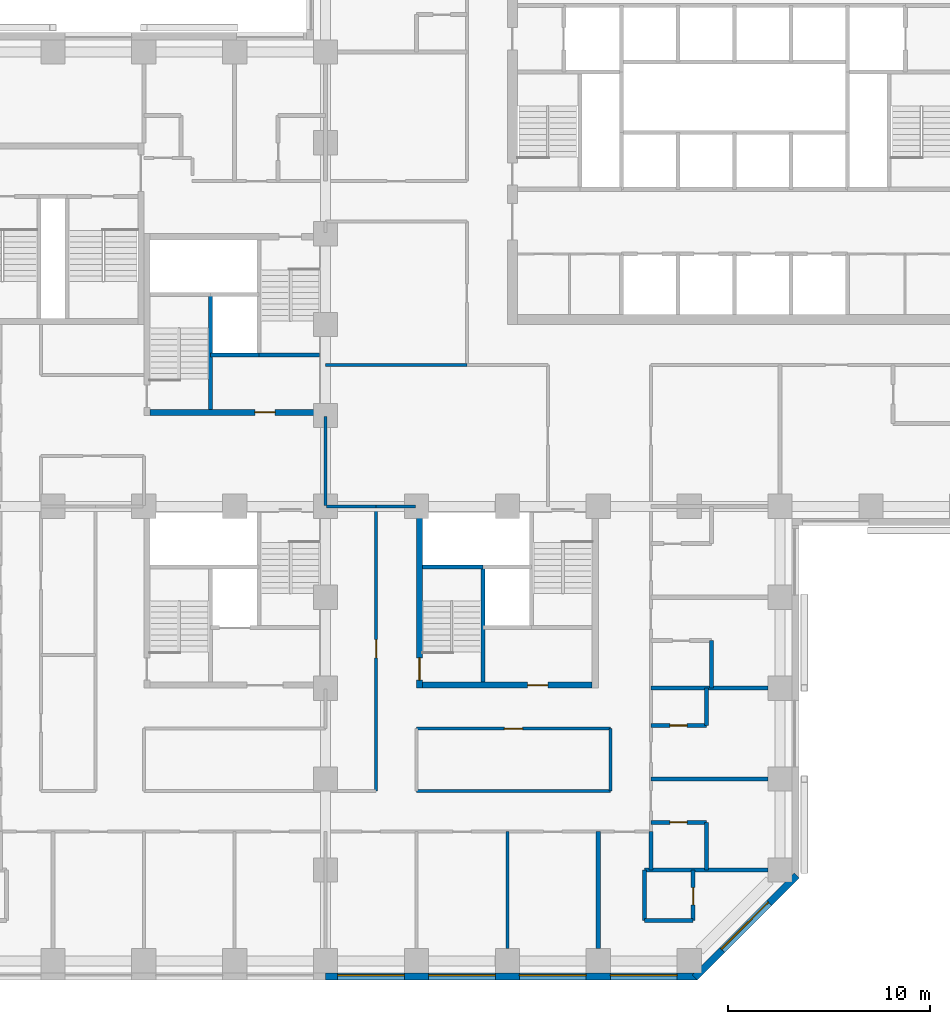
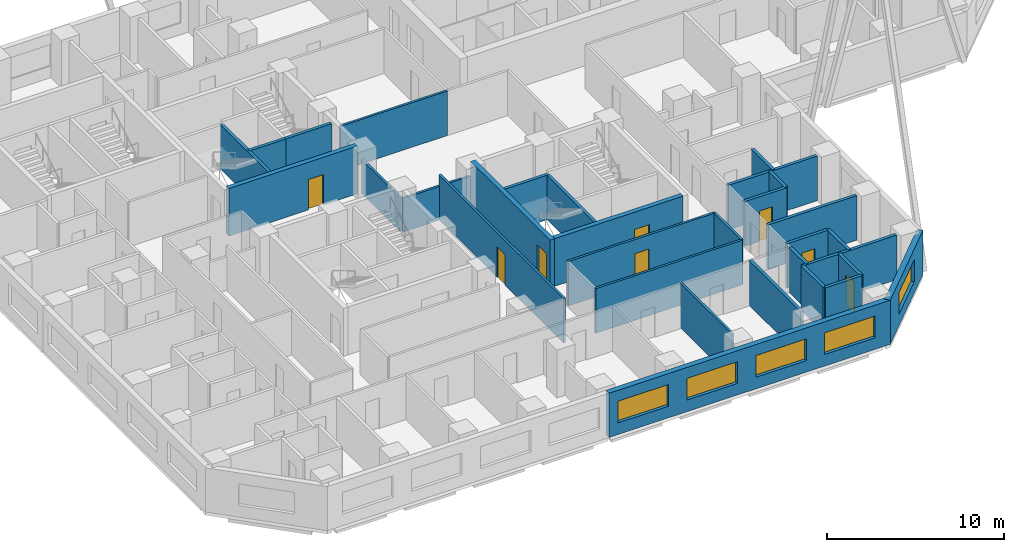
# One storey, part 5 of 14: 32 walls, 8 doors, 5 windows, 13 openings.
"""IFC4 building model written with IfcOpenShell, lengths in metres."""

from ifc_helpers import new_model, si_unit, direction, frame, frame_2d, origin, place, context, subcontext, project, spatial, rectangle, extrude, material, layer, layer_set, constituent, constituent_set, type_object, element, fill, save


model = new_model("IFC4")

# Units and contexts
model_context = context("Model", 3, precision=1e-05, world=origin(), true_north=direction((0.0, 1.0)))
body_context = subcontext(model_context, "Body", "Model", "MODEL_VIEW")
ifc_project = project(units=[si_unit("LENGTHUNIT", "METRE"), si_unit("AREAUNIT", "SQUARE_METRE"), si_unit("VOLUMEUNIT", "CUBIC_METRE"), si_unit("PLANEANGLEUNIT", "RADIAN"), si_unit("MASSUNIT", "GRAM", prefix="KILO")], contexts=[model_context])

# Site, building, storey
site_placement = place(None, origin())
site = spatial("IfcSite", under=ifc_project, at=site_placement, CompositionType="ELEMENT")
building_placement = place(site_placement, origin())
building = spatial("IfcBuilding", under=site, at=building_placement, Name="Quoin Convention Tower", CompositionType="ELEMENT")
storey_placement = place(building_placement, frame((0.0, 0.0, 66.0)))
storey = spatial("IfcBuildingStorey", under=building, at=storey_placement, Name="L17", CompositionType="ELEMENT", Elevation=66.0)

# Wall, openings, windows
ifc_material_1 = material(Name="Brick masonry", Category="masonry")
ifc_layer_1 = layer(ifc_material_1, 0.35009765625)
ifc_layer_set_1 = layer_set([ifc_layer_1], Name="Brick masonry")
wall_type_1 = type_object("IfcWallType", Name="Brick facade wall", PredefinedType="STANDARD", material=ifc_layer_set_1)
wall_1_placement = place(storey_placement, frame((36.0, 17.22509765625, 0.0), z_axis=(0.0, 0.0, 1.0), x_axis=(1.0, 0.0, 0.0)))
wall_1 = element("IfcWall", 1, at=wall_1_placement, inside=storey, type_object=wall_type_1, Name="fw-L17-36000_18000", PredefinedType="STANDARD", context=body_context, shape_type="SweptSolid", body=[
    extrude(rectangle(XDim=18.3935546875, YDim=0.35009765625, at=frame_2d((9.19677734375, 0.0))), origin(), (0.0, 0.0, 1.0), 3.054931640625),
])
opening_1_placement = place(wall_1_placement, frame((0.60009765625, 0.0, 0.800048828125)))
opening_1 = element("IfcOpeningElement", 2, at=opening_1_placement, cuts=wall_1, Name="Opening W-01", PredefinedType="OPENING", context=body_context, shape_type="SweptSolid", body=[
    extrude(rectangle(XDim=3.300048828125, YDim=1.5, at=frame_2d((1.64990234375, 0.75))), frame((0.0, 0.18505859375, 0.0), z_axis=(0.0, -1.0, 0.0), x_axis=(1.0, 0.0, 0.0)), (0.0, 0.0, 1.0), 0.3701171875),
])
opening_2_placement = place(wall_1_placement, frame((5.10009765625, 0.0, 0.800048828125)))
opening_2 = element("IfcOpeningElement", 3, at=opening_2_placement, cuts=wall_1, Name="Opening W-01", PredefinedType="OPENING", context=body_context, shape_type="SweptSolid", body=[
    extrude(rectangle(XDim=3.300048828125, YDim=1.5, at=frame_2d((1.64990234375, 0.75))), frame((0.0, 0.18505859375, 0.0), z_axis=(0.0, -1.0, 0.0), x_axis=(1.0, 0.0, 0.0)), (0.0, 0.0, 1.0), 0.3701171875),
])
opening_3_placement = place(wall_1_placement, frame((9.60009765625, 0.0, 0.800048828125)))
opening_3 = element("IfcOpeningElement", 4, at=opening_3_placement, cuts=wall_1, Name="Opening W-01", PredefinedType="OPENING", context=body_context, shape_type="SweptSolid", body=[
    extrude(rectangle(XDim=3.300048828125, YDim=1.5, at=frame_2d((1.64990234375, 0.75))), frame((0.0, 0.18505859375, 0.0), z_axis=(0.0, -1.0, 0.0), x_axis=(1.0, 0.0, 0.0)), (0.0, 0.0, 1.0), 0.3701171875),
])
opening_4_placement = place(wall_1_placement, frame((14.10009765625, 0.0, 0.800048828125)))
opening_4 = element("IfcOpeningElement", 5, at=opening_4_placement, cuts=wall_1, Name="Opening W-01", PredefinedType="OPENING", context=body_context, shape_type="SweptSolid", body=[
    extrude(rectangle(XDim=3.300048828125, YDim=1.5, at=frame_2d((1.64990234375, 0.75))), frame((0.0, 0.18505859375, 0.0), z_axis=(0.0, -1.0, 0.0), x_axis=(1.0, 0.0, 0.0)), (0.0, 0.0, 1.0), 0.3701171875),
])
ifc_material_2 = material(Name="Aluminium", Category="aluminium")
ifc_constituent_1 = constituent(ifc_material_2, Name="Frame")
ifc_material_3 = material(Name="Insulated glass", Category="glass")
ifc_constituent_2 = constituent(ifc_material_3, Name="Glazing")
ifc_constituent_set = constituent_set(constituents=[ifc_constituent_1, ifc_constituent_2], Name="Aluminium")
window_type = type_object("IfcWindowType", Name="Hotel strip window", PartitioningType="DOUBLE_PANEL_VERTICAL", PredefinedType="WINDOW", material=ifc_constituent_set)
window_1_placement = place(opening_1_placement, origin())
window_1 = element("IfcWindow", 6, at=window_1_placement, inside=storey, type_object=window_type, Name="win-L17-38250_17225", OverallHeight=1.5, OverallWidth=3.300048828125, PartitioningType="SINGLE_PANEL", PredefinedType="WINDOW", context=body_context, shape_type="SweptSolid", body=[
    extrude(rectangle(XDim=3.300048828125, YDim=1.5, at=frame_2d((1.64990234375, 0.75))), frame((0.0, 0.0849609375, 0.0), z_axis=(0.0, -1.0, 0.0), x_axis=(1.0, 0.0, 0.0)), (0.0, 0.0, 1.0), 0.06005859375),
])
fill(opening_1, window_1)
window_2_placement = place(opening_2_placement, origin())
window_2 = element("IfcWindow", 7, at=window_2_placement, inside=storey, type_object=window_type, Name="win-L17-42750_17225", OverallHeight=1.5, OverallWidth=3.300048828125, PartitioningType="SINGLE_PANEL", PredefinedType="WINDOW", context=body_context, shape_type="SweptSolid", body=[
    extrude(rectangle(XDim=3.300048828125, YDim=1.5, at=frame_2d((1.64990234375, 0.75))), frame((0.0, 0.0849609375, 0.0), z_axis=(0.0, -1.0, 0.0), x_axis=(1.0, 0.0, 0.0)), (0.0, 0.0, 1.0), 0.06005859375),
])
fill(opening_2, window_2)
window_3_placement = place(opening_3_placement, origin())
window_3 = element("IfcWindow", 8, at=window_3_placement, inside=storey, type_object=window_type, Name="win-L17-47250_17225", OverallHeight=1.5, OverallWidth=3.300048828125, PartitioningType="SINGLE_PANEL", PredefinedType="WINDOW", context=body_context, shape_type="SweptSolid", body=[
    extrude(rectangle(XDim=3.300048828125, YDim=1.5, at=frame_2d((1.64990234375, 0.75))), frame((0.0, 0.0849609375, 0.0), z_axis=(0.0, -1.0, 0.0), x_axis=(1.0, 0.0, 0.0)), (0.0, 0.0, 1.0), 0.06005859375),
])
fill(opening_3, window_3)
window_4_placement = place(opening_4_placement, origin())
window_4 = element("IfcWindow", 9, at=window_4_placement, inside=storey, type_object=window_type, Name="win-L17-51750_17225", OverallHeight=1.5, OverallWidth=3.300048828125, PartitioningType="SINGLE_PANEL", PredefinedType="WINDOW", context=body_context, shape_type="SweptSolid", body=[
    extrude(rectangle(XDim=3.300048828125, YDim=1.5, at=frame_2d((1.64990234375, 0.75))), frame((0.0, 0.0849609375, 0.0), z_axis=(0.0, -1.0, 0.0), x_axis=(1.0, 0.0, 0.0)), (0.0, 0.0, 1.0), 0.06005859375),
])
fill(opening_4, window_4)

# Wall, opening, window
wall_2_placement = place(storey_placement, frame((54.269775390625, 17.173583984375, 0.0), z_axis=(0.0, 0.0, 1.0), x_axis=(0.707106781187, 0.707106781187, 0.0)))
wall_2 = element("IfcWall", 10, at=wall_2_placement, inside=storey, type_object=wall_type_1, Name="fw-L17-54000_18000", PredefinedType="STANDARD", context=body_context, shape_type="SweptSolid", body=[
    extrude(rectangle(XDim=7.151123046875, YDim=0.35009765625, at=frame_2d((3.57568359375, 0.0))), origin(), (0.0, 0.0, 1.0), 3.054931640625),
])
opening_5_placement = place(wall_2_placement, frame((1.925537109375, 0.0, 0.800048828125)))
opening_5 = element("IfcOpeningElement", 11, at=opening_5_placement, cuts=wall_2, Name="Opening W-01", PredefinedType="OPENING", context=body_context, shape_type="SweptSolid", body=[
    extrude(rectangle(XDim=3.300048828125, YDim=1.5, at=frame_2d((1.64990234375, 0.75))), frame((0.0, 0.18505859375, 0.0), z_axis=(0.0, -1.0, 0.0), x_axis=(1.0, 0.0, 0.0)), (0.0, 0.0, 1.0), 0.3701171875),
])
window_5_placement = place(opening_5_placement, origin())
window_5 = element("IfcWindow", 12, at=window_5_placement, inside=storey, type_object=window_type, Name="win-L17-56798_19702", OverallHeight=1.5, OverallWidth=3.300048828125, PartitioningType="SINGLE_PANEL", PredefinedType="WINDOW", context=body_context, shape_type="SweptSolid", body=[
    extrude(rectangle(XDim=3.300048828125, YDim=1.5, at=frame_2d((1.64990234375, 0.75))), frame((0.0, 0.0849609375, 0.0), z_axis=(0.0, -1.0, 0.0), x_axis=(1.0, 0.0, 0.0)), (0.0, 0.0, 1.0), 0.06005859375),
])
fill(opening_5, window_5)

# Walls
ifc_material_4 = material(Name="Concrete C50", Category="concrete")
ifc_layer_2 = layer(ifc_material_4, 0.199951171875)
ifc_layer_set_2 = layer_set([ifc_layer_2], Name="Concrete C50")
wall_type_2 = type_object("IfcWallType", Name="Core shaft wall", PredefinedType="SOLIDWALL", material=ifc_layer_set_2)
wall_3_placement = place(storey_placement, frame((30.300048828125, 48.0, 0.0), z_axis=(0.0, 0.0, 1.0), x_axis=(1.0, 0.0, 0.0)))
element("IfcWall", 13, at=wall_3_placement, inside=storey, type_object=wall_type_2, Name="cr-P2-L17-h3000_3300", PredefinedType="SOLIDWALL", context=body_context, shape_type="SweptSolid", body=[
    extrude(rectangle(XDim=2.39990234375, YDim=0.199951171875, at=frame_2d((1.199951171875, 0.0))), origin(), (0.0, 0.0, 1.0), 3.080078125),
])
wall_4_placement = place(storey_placement, frame((32.699951171875, 48.0, 0.0), z_axis=(0.0, 0.0, 1.0), x_axis=(1.0, 0.0, 0.0)))
element("IfcWall", 14, at=wall_4_placement, inside=storey, type_object=wall_type_2, Name="cr-P2-L17-h3000_5700", PredefinedType="SOLIDWALL", context=body_context, shape_type="SweptSolid", body=[
    extrude(rectangle(XDim=3.0, YDim=0.199951171875, at=frame_2d((1.5, 0.0))), origin(), (0.0, 0.0, 1.0), 3.080078125),
])
wall_5_placement = place(storey_placement, frame((30.300048828125, 45.300048828125, 0.0), z_axis=(0.0, 0.0, 1.0), x_axis=(0.0, 1.0, 0.0)))
element("IfcWall", 15, at=wall_5_placement, inside=storey, type_object=wall_type_2, Name="cr-P2-L17-v3300_300", PredefinedType="SOLIDWALL", context=body_context, shape_type="SweptSolid", body=[
    extrude(rectangle(XDim=5.699951171875, YDim=0.199951171875, at=frame_2d((2.85009765625, 0.0))), origin(), (0.0, 0.0, 1.0), 3.080078125),
])
wall_6_placement = place(storey_placement, frame((40.800048828125, 37.5, 0.0), z_axis=(0.0, 0.0, 1.0), x_axis=(1.0, 0.0, 0.0)))
element("IfcWall", 16, at=wall_6_placement, inside=storey, type_object=wall_type_2, Name="cr-P3-L17-h6000_300", PredefinedType="SOLIDWALL", context=body_context, shape_type="SweptSolid", body=[
    extrude(rectangle(XDim=3.0, YDim=0.199951171875, at=frame_2d((1.5, 0.0))), origin(), (0.0, 0.0, 1.0), 3.080078125),
])
wall_7_placement = place(storey_placement, frame((43.800048828125, 31.800048828125, 0.0), z_axis=(0.0, 0.0, 1.0), x_axis=(0.0, 1.0, 0.0)))
element("IfcWall", 17, at=wall_7_placement, inside=storey, type_object=wall_type_2, Name="cr-P3-L17-v3300_300", PredefinedType="SOLIDWALL", context=body_context, shape_type="SweptSolid", body=[
    extrude(rectangle(XDim=5.699951171875, YDim=0.199951171875, at=frame_2d((2.85009765625, 0.0))), origin(), (0.0, 0.0, 1.0), 3.080078125),
])

# Wall, opening, door
ifc_material_5 = material(Name="Concrete C80", Category="concrete")
ifc_layer_3 = layer(ifc_material_5, 0.300048828125)
ifc_layer_set_3 = layer_set([ifc_layer_3], Name="Concrete C80")
wall_type_3 = type_object("IfcWallType", Name="RC CORE WALL 300 C80", PredefinedType="SHEAR", material=ifc_layer_set_3)
wall_8_placement = place(storey_placement, frame((27.300048828125, 45.14990234375, 0.0), z_axis=(0.0, 0.0, 1.0), x_axis=(1.0, 0.0, 0.0)))
wall_8 = element("IfcWall", 18, at=wall_8_placement, inside=storey, type_object=wall_type_3, Name="cwl-P2-L17-S", PredefinedType="SHEAR", context=body_context, shape_type="SweptSolid", body=[
    extrude(rectangle(XDim=8.39990234375, YDim=0.300048828125, at=frame_2d((4.199951171875, 0.0))), origin(), (0.0, 0.0, 1.0), 3.300048828125),
])
opening_6_placement = place(wall_8_placement, frame((5.199951171875, 0.0, 0.0)))
opening_6 = element("IfcOpeningElement", 19, at=opening_6_placement, cuts=wall_8, Name="Opening DCV0-60", PredefinedType="OPENING", context=body_context, shape_type="SweptSolid", body=[
    extrude(rectangle(XDim=1.0, YDim=2.10009765625, at=frame_2d((0.5, 1.050048828125))), frame((0.0, 0.159912109375, 0.0), z_axis=(0.0, -1.0, 0.0), x_axis=(1.0, 0.0, 0.0)), (0.0, 0.0, 1.0), 0.320068359375),
])
ifc_material_6 = material(Name="Steel door leaf", Category="steel")
door_type_1 = type_object("IfcDoorType", Name="Service door 1000 x 2100", OperationType="SINGLE_SWING_LEFT", PredefinedType="DOOR", material=ifc_material_6)
door_1_placement = place(opening_6_placement, origin())
door_1 = element("IfcDoor", 20, at=door_1_placement, inside=storey, type_object=door_type_1, Name="cd-P2-L17-R2-S", OperationType="SINGLE_SWING_LEFT", OverallHeight=2.10009765625, OverallWidth=1.0, PredefinedType="DOOR", context=body_context, shape_type="SweptSolid", body=[
    extrude(rectangle(XDim=1.0, YDim=2.10009765625, at=frame_2d((0.5, 1.050048828125))), frame((0.0, 0.02490234375, 0.0), z_axis=(0.0, -1.0, 0.0), x_axis=(1.0, 0.0, 0.0)), (0.0, 0.0, 1.0), 0.050048828125),
])
fill(opening_6, door_1)

wall_9_placement = place(storey_placement, frame((40.800048828125, 31.64990234375, 0.0), z_axis=(0.0, 0.0, 1.0), x_axis=(1.0, 0.0, 0.0)))
wall_9 = element("IfcWall", 21, at=wall_9_placement, inside=storey, type_object=wall_type_3, Name="cwl-P3-L17-S", PredefinedType="SHEAR", context=body_context, shape_type="SweptSolid", body=[
    extrude(rectangle(XDim=8.39990234375, YDim=0.300048828125, at=frame_2d((4.199951171875, 0.0))), origin(), (0.0, 0.0, 1.0), 3.300048828125),
])
opening_7_placement = place(wall_9_placement, frame((5.199951171875, 0.0, 0.0)))
opening_7 = element("IfcOpeningElement", 22, at=opening_7_placement, cuts=wall_9, Name="Opening DCV0-61", PredefinedType="OPENING", context=body_context, shape_type="SweptSolid", body=[
    extrude(rectangle(XDim=1.0, YDim=2.10009765625, at=frame_2d((0.5, 1.050048828125))), frame((0.0, 0.159912109375, 0.0), z_axis=(0.0, -1.0, 0.0), x_axis=(1.0, 0.0, 0.0)), (0.0, 0.0, 1.0), 0.320068359375),
])
door_2_placement = place(opening_7_placement, origin())
door_2 = element("IfcDoor", 23, at=door_2_placement, inside=storey, type_object=door_type_1, Name="cd-P3-L17-R2-S", OperationType="SINGLE_SWING_LEFT", OverallHeight=2.10009765625, OverallWidth=1.0, PredefinedType="DOOR", context=body_context, shape_type="SweptSolid", body=[
    extrude(rectangle(XDim=1.0, YDim=2.10009765625, at=frame_2d((0.5, 1.050048828125))), frame((0.0, 0.02490234375, 0.0), z_axis=(0.0, -1.0, 0.0), x_axis=(1.0, 0.0, 0.0)), (0.0, 0.0, 1.0), 0.050048828125),
])
fill(opening_7, door_2)

wall_10_placement = place(storey_placement, frame((40.64990234375, 31.5, 0.0), z_axis=(0.0, 0.0, 1.0), x_axis=(0.0, 1.0, 0.0)))
wall_10 = element("IfcWall", 24, at=wall_10_placement, inside=storey, type_object=wall_type_3, Name="cwl-P3-L17-W", PredefinedType="SHEAR", context=body_context, shape_type="SweptSolid", body=[
    extrude(rectangle(XDim=9.0, YDim=0.300048828125, at=frame_2d((4.5, 0.0))), origin(), (0.0, 0.0, 1.0), 3.300048828125),
])
opening_8_placement = place(wall_10_placement, frame((0.39990234375, 0.0, 0.0)))
opening_8 = element("IfcOpeningElement", 25, at=opening_8_placement, cuts=wall_10, Name="Opening SD5", PredefinedType="OPENING", context=body_context, shape_type="SweptSolid", body=[
    extrude(rectangle(XDim=1.10009765625, YDim=2.10009765625, at=frame_2d((0.550048828125, 1.050048828125))), frame((0.0, 0.159912109375, 0.0), z_axis=(0.0, -1.0, 0.0), x_axis=(1.0, 0.0, 0.0)), (0.0, 0.0, 1.0), 0.320068359375),
])
door_type_2 = type_object("IfcDoorType", Name="Stair door 1100 x 2100", OperationType="SINGLE_SWING_RIGHT", PredefinedType="DOOR", material=ifc_material_6)
door_3_placement = place(opening_8_placement, frame((1.10009765625, 0.0, 0.0), z_axis=(0.0, 0.0, 1.0), x_axis=(-1.0, 0.0, 0.0)))
door_3 = element("IfcDoor", 26, at=door_3_placement, inside=storey, type_object=door_type_2, Name="cd-P3-L17-SA-W", OperationType="SINGLE_SWING_RIGHT", OverallHeight=2.10009765625, OverallWidth=1.10009765625, PredefinedType="DOOR", context=body_context, shape_type="SweptSolid", body=[
    extrude(rectangle(XDim=1.10009765625, YDim=2.10009765625, at=frame_2d((0.550048828125, 1.050048828125))), frame((0.0, 0.02490234375, 0.0), z_axis=(0.0, -1.0, 0.0), x_axis=(1.0, 0.0, 0.0)), (0.0, 0.0, 1.0), 0.050048828125),
])
fill(opening_8, door_3)

# Walls
ifc_layer_4 = layer(ifc_material_4, 0.199951171875)
ifc_layer_set_4 = layer_set([ifc_layer_4], Name="Concrete C50")
wall_type_4 = type_object("IfcWallType", Name="RC party wall", PredefinedType="SOLIDWALL", material=ifc_layer_set_4)
wall_11_placement = place(storey_placement, frame((49.5, 18.60009765625, 0.0), z_axis=(0.0, 0.0, 1.0), x_axis=(0.0, 1.0, 0.0)))
element("IfcWall", 27, at=wall_11_placement, inside=storey, type_object=wall_type_4, Name="pw-L17-040", PredefinedType="SOLIDWALL", context=body_context, shape_type="SweptSolid", body=[
    extrude(rectangle(XDim=5.7998046875, YDim=0.199951171875, at=frame_2d((2.89990234375, 0.0))), origin(), (0.0, 0.0, 1.0), 3.080078125),
])
wall_12_placement = place(storey_placement, frame((51.800048828125, 20.0, 0.0), z_axis=(0.0, 0.0, 1.0), x_axis=(1.0, 0.0, 0.0)))
element("IfcWall", 28, at=wall_12_placement, inside=storey, type_object=wall_type_4, Name="pw-L17-044", PredefinedType="SOLIDWALL", context=body_context, shape_type="SweptSolid", body=[
    extrude(rectangle(XDim=2.39990234375, YDim=0.199951171875, at=frame_2d((1.199951171875, 0.0))), origin(), (0.0, 0.0, 1.0), 3.080078125),
])
wall_13_placement = place(storey_placement, frame((51.800048828125, 20.0, 0.0), z_axis=(0.0, 0.0, 1.0), x_axis=(0.0, 1.0, 0.0)))
element("IfcWall", 29, at=wall_13_placement, inside=storey, type_object=wall_type_4, Name="pw-L17-045", PredefinedType="SOLIDWALL", context=body_context, shape_type="SweptSolid", body=[
    extrude(rectangle(XDim=2.5, YDim=0.199951171875, at=frame_2d((1.25, 0.0))), origin(), (0.0, 0.0, 1.0), 3.080078125),
])

# Wall, opening, door
wall_14_placement = place(storey_placement, frame((54.199951171875, 20.0, 0.0), z_axis=(0.0, 0.0, 1.0), x_axis=(0.0, 1.0, 0.0)))
wall_14 = element("IfcWall", 30, at=wall_14_placement, inside=storey, type_object=wall_type_4, Name="pw-L17-046", PredefinedType="SOLIDWALL", context=body_context, shape_type="SweptSolid", body=[
    extrude(rectangle(XDim=2.5, YDim=0.199951171875, at=frame_2d((1.25, 0.0))), origin(), (0.0, 0.0, 1.0), 3.080078125),
])
opening_9_placement = place(wall_14_placement, frame((0.77490234375, 0.0, 0.0)))
opening_9 = element("IfcOpeningElement", 31, at=opening_9_placement, cuts=wall_14, Name="Opening DHOTEL-G-48", PredefinedType="OPENING", context=body_context, shape_type="SweptSolid", body=[
    extrude(rectangle(XDim=0.85009765625, YDim=2.10009765625, at=frame_2d((0.425048828125, 1.050048828125))), frame((0.0, 0.10986328125, 0.0), z_axis=(0.0, -1.0, 0.0), x_axis=(1.0, 0.0, 0.0)), (0.0, 0.0, 1.0), 0.219970703125),
])
door_type_3 = type_object("IfcDoorType", Name="Bathroom door", OperationType="SINGLE_SWING_LEFT", PredefinedType="DOOR", material=ifc_material_6)
door_4_placement = place(opening_9_placement, frame((0.85009765625, 0.0, 0.0), z_axis=(0.0, 0.0, 1.0), x_axis=(-1.0, 0.0, 0.0)))
door_4 = element("IfcDoor", 32, at=door_4_placement, inside=storey, type_object=door_type_3, Name="dr-L17-068", OperationType="SINGLE_SWING_LEFT", OverallHeight=2.10009765625, OverallWidth=0.85009765625, PredefinedType="DOOR", context=body_context, shape_type="SweptSolid", body=[
    extrude(rectangle(XDim=0.85009765625, YDim=2.10009765625, at=frame_2d((0.425048828125, 1.050048828125))), frame((0.0, 0.02490234375, 0.0), z_axis=(0.0, -1.0, 0.0), x_axis=(1.0, 0.0, 0.0)), (0.0, 0.0, 1.0), 0.050048828125),
])
fill(opening_9, door_4)

# Walls
wall_15_placement = place(storey_placement, frame((51.800048828125, 22.5, 0.0), z_axis=(0.0, 0.0, 1.0), x_axis=(1.0, 0.0, 0.0)))
element("IfcWall", 33, at=wall_15_placement, inside=storey, type_object=wall_type_4, Name="pw-L17-050", PredefinedType="SOLIDWALL", context=body_context, shape_type="SweptSolid", body=[
    extrude(rectangle(XDim=6.099853515625, YDim=0.199951171875, at=frame_2d((3.0498046875, 0.0))), origin(), (0.0, 0.0, 1.0), 3.080078125),
])
wall_16_placement = place(storey_placement, frame((52.10009765625, 22.5, 0.0), z_axis=(0.0, 0.0, 1.0), x_axis=(0.0, 1.0, 0.0)))
element("IfcWall", 34, at=wall_16_placement, inside=storey, type_object=wall_type_4, Name="pw-L17-051", PredefinedType="SOLIDWALL", context=body_context, shape_type="SweptSolid", body=[
    extrude(rectangle(XDim=1.89990234375, YDim=0.199951171875, at=frame_2d((0.949951171875, 0.0))), origin(), (0.0, 0.0, 1.0), 3.080078125),
])
wall_17_placement = place(storey_placement, frame((54.85009765625, 22.5, 0.0), z_axis=(0.0, 0.0, 1.0), x_axis=(0.0, 1.0, 0.0)))
element("IfcWall", 35, at=wall_17_placement, inside=storey, type_object=wall_type_4, Name="pw-L17-052", PredefinedType="SOLIDWALL", context=body_context, shape_type="SweptSolid", body=[
    extrude(rectangle(XDim=2.35009765625, YDim=0.199951171875, at=frame_2d((1.175048828125, 0.0))), origin(), (0.0, 0.0, 1.0), 3.080078125),
])

# Wall, opening, door
wall_18_placement = place(storey_placement, frame((52.10009765625, 24.85009765625, 0.0), z_axis=(0.0, 0.0, 1.0), x_axis=(1.0, 0.0, 0.0)))
wall_18 = element("IfcWall", 36, at=wall_18_placement, inside=storey, type_object=wall_type_4, Name="pw-L17-054", PredefinedType="SOLIDWALL", context=body_context, shape_type="SweptSolid", body=[
    extrude(rectangle(XDim=2.75, YDim=0.199951171875, at=frame_2d((1.375, 0.0))), origin(), (0.0, 0.0, 1.0), 3.080078125),
])
opening_10_placement = place(wall_18_placement, frame((0.949951171875, 0.0, 0.0)))
opening_10 = element("IfcOpeningElement", 37, at=opening_10_placement, cuts=wall_18, Name="Opening DHOTEL-G-50", PredefinedType="OPENING", context=body_context, shape_type="SweptSolid", body=[
    extrude(rectangle(XDim=0.85009765625, YDim=2.10009765625, at=frame_2d((0.425048828125, 1.050048828125))), frame((0.0, 0.10986328125, 0.0), z_axis=(0.0, -1.0, 0.0), x_axis=(1.0, 0.0, 0.0)), (0.0, 0.0, 1.0), 0.219970703125),
])
door_5_placement = place(opening_10_placement, origin())
door_5 = element("IfcDoor", 38, at=door_5_placement, inside=storey, type_object=door_type_3, Name="dr-L17-022", OperationType="SINGLE_SWING_LEFT", OverallHeight=2.10009765625, OverallWidth=0.85009765625, PredefinedType="DOOR", context=body_context, shape_type="SweptSolid", body=[
    extrude(rectangle(XDim=0.85009765625, YDim=2.10009765625, at=frame_2d((0.425048828125, 1.050048828125))), frame((0.0, 0.02490234375, 0.0), z_axis=(0.0, -1.0, 0.0), x_axis=(1.0, 0.0, 0.0)), (0.0, 0.0, 1.0), 0.050048828125),
])
fill(opening_10, door_5)

# Wall
wall_19_placement = place(storey_placement, frame((52.10009765625, 27.0, 0.0), z_axis=(0.0, 0.0, 1.0), x_axis=(1.0, 0.0, 0.0)))
element("IfcWall", 39, at=wall_19_placement, inside=storey, type_object=wall_type_4, Name="pw-L17-056", PredefinedType="SOLIDWALL", context=body_context, shape_type="SweptSolid", body=[
    extrude(rectangle(XDim=5.7998046875, YDim=0.199951171875, at=frame_2d((2.89990234375, 0.0))), origin(), (0.0, 0.0, 1.0), 3.080078125),
])

# Wall, opening, door
wall_20_placement = place(storey_placement, frame((52.10009765625, 29.64990234375, 0.0), z_axis=(0.0, 0.0, 1.0), x_axis=(1.0, 0.0, 0.0)))
wall_20 = element("IfcWall", 40, at=wall_20_placement, inside=storey, type_object=wall_type_4, Name="pw-L17-059", PredefinedType="SOLIDWALL", context=body_context, shape_type="SweptSolid", body=[
    extrude(rectangle(XDim=2.75, YDim=0.199951171875, at=frame_2d((1.375, 0.0))), origin(), (0.0, 0.0, 1.0), 3.080078125),
])
opening_11_placement = place(wall_20_placement, frame((0.949951171875, 0.0, 0.0)))
opening_11 = element("IfcOpeningElement", 41, at=opening_11_placement, cuts=wall_20, Name="Opening DHOTEL-G-52", PredefinedType="OPENING", context=body_context, shape_type="SweptSolid", body=[
    extrude(rectangle(XDim=0.85009765625, YDim=2.10009765625, at=frame_2d((0.425048828125, 1.050048828125))), frame((0.0, 0.10986328125, 0.0), z_axis=(0.0, -1.0, 0.0), x_axis=(1.0, 0.0, 0.0)), (0.0, 0.0, 1.0), 0.219970703125),
])
door_6_placement = place(opening_11_placement, frame((0.85009765625, 0.0, 0.0), z_axis=(0.0, 0.0, 1.0), x_axis=(-1.0, 0.0, 0.0)))
door_6 = element("IfcDoor", 42, at=door_6_placement, inside=storey, type_object=door_type_3, Name="dr-L17-024", OperationType="SINGLE_SWING_RIGHT", OverallHeight=2.10009765625, OverallWidth=0.85009765625, PredefinedType="DOOR", context=body_context, shape_type="SweptSolid", body=[
    extrude(rectangle(XDim=0.85009765625, YDim=2.10009765625, at=frame_2d((0.425048828125, 1.050048828125))), frame((0.0, 0.02490234375, 0.0), z_axis=(0.0, -1.0, 0.0), x_axis=(1.0, 0.0, 0.0)), (0.0, 0.0, 1.0), 0.050048828125),
])
fill(opening_11, door_6)

# Walls
wall_21_placement = place(storey_placement, frame((54.85009765625, 29.64990234375, 0.0), z_axis=(0.0, 0.0, 1.0), x_axis=(0.0, 1.0, 0.0)))
element("IfcWall", 43, at=wall_21_placement, inside=storey, type_object=wall_type_4, Name="pw-L17-060", PredefinedType="SOLIDWALL", context=body_context, shape_type="SweptSolid", body=[
    extrude(rectangle(XDim=1.85009765625, YDim=0.199951171875, at=frame_2d((0.925048828125, 0.0))), origin(), (0.0, 0.0, 1.0), 3.080078125),
])
wall_22_placement = place(storey_placement, frame((52.10009765625, 31.5, 0.0), z_axis=(0.0, 0.0, 1.0), x_axis=(1.0, 0.0, 0.0)))
element("IfcWall", 44, at=wall_22_placement, inside=storey, type_object=wall_type_4, Name="pw-L17-062", PredefinedType="SOLIDWALL", context=body_context, shape_type="SweptSolid", body=[
    extrude(rectangle(XDim=5.7998046875, YDim=0.199951171875, at=frame_2d((2.89990234375, 0.0))), origin(), (0.0, 0.0, 1.0), 3.080078125),
])
wall_23_placement = place(storey_placement, frame((55.10009765625, 31.5, 0.0), z_axis=(0.0, 0.0, 1.0), x_axis=(0.0, 1.0, 0.0)))
element("IfcWall", 45, at=wall_23_placement, inside=storey, type_object=wall_type_4, Name="pw-L17-063", PredefinedType="SOLIDWALL", context=body_context, shape_type="SweptSolid", body=[
    extrude(rectangle(XDim=2.35009765625, YDim=0.199951171875, at=frame_2d((1.175048828125, 0.0))), origin(), (0.0, 0.0, 1.0), 3.080078125),
])

# Wall, opening, door
ifc_material_7 = material(Name="Plasterboard")
ifc_layer_5 = layer(ifc_material_7, 0.012451171875, Name="Finish")
ifc_material_8 = material(Name="Steel stud framing", Category="steel")
ifc_layer_6 = layer(ifc_material_8, 0.125, Name="Structure")
ifc_layer_7 = layer(ifc_material_7, 0.012451171875, Name="Finish")
ifc_layer_set_5 = layer_set([ifc_layer_5, ifc_layer_6, ifc_layer_7], Name="Steel stud framing")
wall_type_5 = type_object("IfcWallType", Name="corridor partition", PredefinedType="PARTITIONING", material=ifc_layer_set_5)
wall_24_placement = place(storey_placement, frame((38.5, 26.39990234375, 0.0), z_axis=(0.0, 0.0, 1.0), x_axis=(0.0, 1.0, 0.0)))
wall_24 = element("IfcWall", 46, at=wall_24_placement, inside=storey, type_object=wall_type_5, Name="pw-L17-013", PredefinedType="PARTITIONING", context=body_context, shape_type="SweptSolid", body=[
    extrude(rectangle(XDim=14.10009765625, YDim=0.14990234375, at=frame_2d((7.050048828125, 0.0))), origin(), (0.0, 0.0, 1.0), 3.080078125),
])
opening_12_placement = place(wall_24_placement, frame((6.60009765625, 0.0, 0.0)))
opening_12 = element("IfcOpeningElement", 47, at=opening_12_placement, cuts=wall_24, Name="Opening DHOTEL-G-22", PredefinedType="OPENING", context=body_context, shape_type="SweptSolid", body=[
    extrude(rectangle(XDim=0.89990234375, YDim=2.10009765625, at=frame_2d((0.449951171875, 1.050048828125))), frame((0.0, 0.0849609375, 0.0), z_axis=(0.0, -1.0, 0.0), x_axis=(1.0, 0.0, 0.0)), (0.0, 0.0, 1.0), 0.169921875),
])
door_type_4 = type_object("IfcDoorType", Name="Single room door", OperationType="SINGLE_SWING_RIGHT", PredefinedType="DOOR", material=ifc_material_6)
door_7_placement = place(opening_12_placement, origin())
door_7 = element("IfcDoor", 48, at=door_7_placement, inside=storey, type_object=door_type_4, Name="dr-L17-080", OperationType="SINGLE_SWING_RIGHT", OverallHeight=2.10009765625, OverallWidth=0.89990234375, PredefinedType="DOOR", context=body_context, shape_type="SweptSolid", body=[
    extrude(rectangle(XDim=0.89990234375, YDim=2.10009765625, at=frame_2d((0.449951171875, 1.050048828125))), frame((0.0, 0.02490234375, 0.0), z_axis=(0.0, -1.0, 0.0), x_axis=(1.0, 0.0, 0.0)), (0.0, 0.0, 1.0), 0.050048828125),
])
fill(opening_12, door_7)

# Walls
wall_25_placement = place(storey_placement, frame((40.5, 26.39990234375, 0.0), z_axis=(0.0, 0.0, 1.0), x_axis=(1.0, 0.0, 0.0)))
element("IfcWall", 49, at=wall_25_placement, inside=storey, type_object=wall_type_5, Name="pw-L17-014", PredefinedType="PARTITIONING", context=body_context, shape_type="SweptSolid", body=[
    extrude(rectangle(XDim=9.60009765625, YDim=0.14990234375, at=frame_2d((4.800048828125, 0.0))), origin(), (0.0, 0.0, 1.0), 3.080078125),
])
wall_26_placement = place(storey_placement, frame((50.10009765625, 26.39990234375, 0.0), z_axis=(0.0, 0.0, 1.0), x_axis=(0.0, 1.0, 0.0)))
element("IfcWall", 50, at=wall_26_placement, inside=storey, type_object=wall_type_5, Name="pw-L17-016", PredefinedType="PARTITIONING", context=body_context, shape_type="SweptSolid", body=[
    extrude(rectangle(XDim=3.10009765625, YDim=0.14990234375, at=frame_2d((1.550048828125, 0.0))), origin(), (0.0, 0.0, 1.0), 3.080078125),
])

# Wall, opening, door
wall_27_placement = place(storey_placement, frame((40.5, 29.5, 0.0), z_axis=(0.0, 0.0, 1.0), x_axis=(1.0, 0.0, 0.0)))
wall_27 = element("IfcWall", 51, at=wall_27_placement, inside=storey, type_object=wall_type_5, Name="pw-L17-019", PredefinedType="PARTITIONING", context=body_context, shape_type="SweptSolid", body=[
    extrude(rectangle(XDim=9.60009765625, YDim=0.14990234375, at=frame_2d((4.800048828125, 0.0))), origin(), (0.0, 0.0, 1.0), 3.080078125),
])
opening_13_placement = place(wall_27_placement, frame((4.35009765625, 0.0, 0.0)))
opening_13 = element("IfcOpeningElement", 52, at=opening_13_placement, cuts=wall_27, Name="Opening DHOTEL-G-23", PredefinedType="OPENING", context=body_context, shape_type="SweptSolid", body=[
    extrude(rectangle(XDim=0.89990234375, YDim=2.10009765625, at=frame_2d((0.449951171875, 1.050048828125))), frame((0.0, 0.0849609375, 0.0), z_axis=(0.0, -1.0, 0.0), x_axis=(1.0, 0.0, 0.0)), (0.0, 0.0, 1.0), 0.169921875),
])
door_type_5 = type_object("IfcDoorType", Name="Service room door", OperationType="SINGLE_SWING_LEFT", PredefinedType="DOOR", material=ifc_material_6)
door_8_placement = place(opening_13_placement, frame((0.89990234375, 0.0, 0.0), z_axis=(0.0, 0.0, 1.0), x_axis=(-1.0, 0.0, 0.0)))
door_8 = element("IfcDoor", 53, at=door_8_placement, inside=storey, type_object=door_type_5, Name="dr-L17-079", OperationType="SINGLE_SWING_LEFT", OverallHeight=2.10009765625, OverallWidth=0.89990234375, PredefinedType="DOOR", context=body_context, shape_type="SweptSolid", body=[
    extrude(rectangle(XDim=0.89990234375, YDim=2.10009765625, at=frame_2d((0.449951171875, 1.050048828125))), frame((0.0, 0.02490234375, 0.0), z_axis=(0.0, -1.0, 0.0), x_axis=(1.0, 0.0, 0.0)), (0.0, 0.0, 1.0), 0.050048828125),
])
fill(opening_13, door_8)

# Walls
ifc_layer_8 = layer(ifc_material_7, 0.012451171875, Name="Finish")
ifc_layer_9 = layer(ifc_material_8, 0.125, Name="Structure")
ifc_layer_10 = layer(ifc_material_7, 0.012451171875, Name="Finish")
ifc_layer_set_6 = layer_set([ifc_layer_8, ifc_layer_9, ifc_layer_10], Name="Steel stud framing")
wall_type_6 = type_object("IfcWallType", Name="corridor partition under beam 750", PredefinedType="PARTITIONING", material=ifc_layer_set_6)
wall_28_placement = place(storey_placement, frame((38.5, 40.5, 0.0), z_axis=(0.0, 0.0, 1.0), x_axis=(1.0, 0.0, 0.0)))
element("IfcWall", 54, at=wall_28_placement, inside=storey, type_object=wall_type_6, Name="pw-L17-021", PredefinedType="PARTITIONING", context=body_context, shape_type="SweptSolid", body=[
    extrude(rectangle(XDim=1.949951171875, YDim=0.14990234375, at=frame_2d((0.97509765625, 0.0))), origin(), (0.0, 0.0, 1.0), 2.330078125),
])
wall_29_placement = place(storey_placement, frame((36.0, 40.550048828125, 0.0), z_axis=(0.0, 0.0, 1.0), x_axis=(0.0, 1.0, 0.0)))
element("IfcWall", 55, at=wall_29_placement, inside=storey, type_object=wall_type_6, Name="pw-L17-023", PredefinedType="PARTITIONING", context=body_context, shape_type="SweptSolid", body=[
    extrude(rectangle(XDim=4.39990234375, YDim=0.14990234375, at=frame_2d((2.199951171875, 0.0))), origin(), (0.0, 0.0, 1.0), 2.330078125),
])
ifc_layer_11 = layer(ifc_material_7, 0.012451171875, Name="Finish")
ifc_layer_12 = layer(ifc_material_8, 0.125, Name="Structure")
ifc_layer_13 = layer(ifc_material_7, 0.012451171875, Name="Finish")
ifc_layer_set_7 = layer_set([ifc_layer_11, ifc_layer_12, ifc_layer_13], Name="Steel stud framing")
wall_type_7 = type_object("IfcWallType", Name="room partition", PredefinedType="PARTITIONING", material=ifc_layer_set_7)
wall_30_placement = place(storey_placement, frame((45.0, 18.60009765625, 0.0), z_axis=(0.0, 0.0, 1.0), x_axis=(0.0, 1.0, 0.0)))
element("IfcWall", 56, at=wall_30_placement, inside=storey, type_object=wall_type_7, Name="pw-L17-156", PredefinedType="PARTITIONING", context=body_context, shape_type="SweptSolid", body=[
    extrude(rectangle(XDim=5.7998046875, YDim=0.14990234375, at=frame_2d((2.89990234375, 0.0))), origin(), (0.0, 0.0, 1.0), 3.080078125),
])
wall_31_placement = place(storey_placement, frame((36.0, 47.5, 0.0), z_axis=(0.0, 0.0, 1.0), x_axis=(1.0, 0.0, 0.0)))
element("IfcWall", 57, at=wall_31_placement, inside=storey, type_object=wall_type_7, Name="pw-L17-166", PredefinedType="PARTITIONING", context=body_context, shape_type="SweptSolid", body=[
    extrude(rectangle(XDim=7.0, YDim=0.14990234375, at=frame_2d((3.5, 0.0))), origin(), (0.0, 0.0, 1.0), 3.080078125),
])
ifc_layer_14 = layer(ifc_material_7, 0.012451171875, Name="Finish")
ifc_layer_15 = layer(ifc_material_8, 0.125, Name="Structure")
ifc_layer_16 = layer(ifc_material_7, 0.012451171875, Name="Finish")
ifc_layer_set_8 = layer_set([ifc_layer_14, ifc_layer_15, ifc_layer_16], Name="Steel stud framing")
wall_type_8 = type_object("IfcWallType", Name="room partition under beam 750", PredefinedType="PARTITIONING", material=ifc_layer_set_8)
wall_32_placement = place(storey_placement, frame((36.050048828125, 40.5, 0.0), z_axis=(0.0, 0.0, 1.0), x_axis=(1.0, 0.0, 0.0)))
element("IfcWall", 58, at=wall_32_placement, inside=storey, type_object=wall_type_8, Name="pw-L17-163", PredefinedType="PARTITIONING", context=body_context, shape_type="SweptSolid", body=[
    extrude(rectangle(XDim=2.449951171875, YDim=0.14990234375, at=frame_2d((1.22509765625, 0.0))), origin(), (0.0, 0.0, 1.0), 2.330078125),
])

save(model, "model.ifc")
